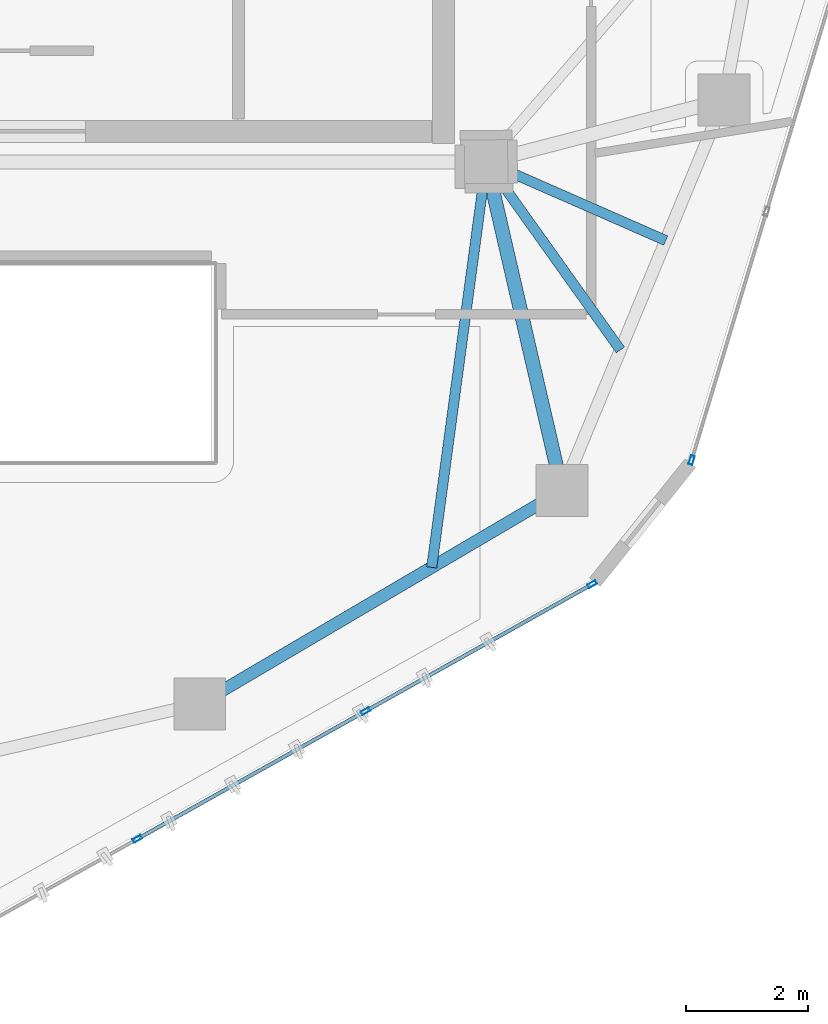
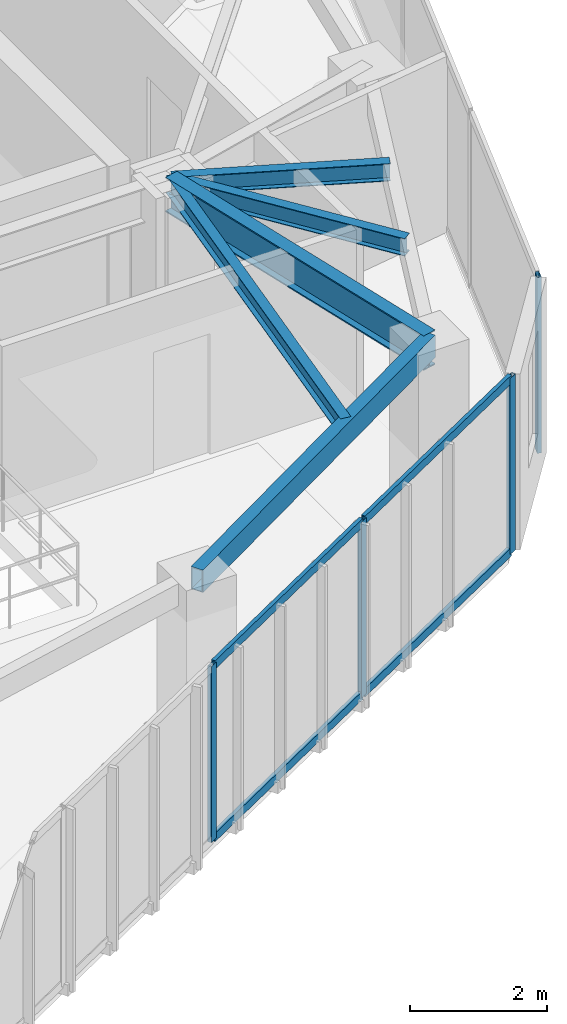
# One storey, part 6 of 20: 8 members, 5 beams, 2 elements without a shape of their own.
"""IFC4 building model written with IfcOpenShell, lengths in metres."""

from ifc_helpers import new_model, si_unit, direction, frame, origin, origin_2d, place, context, subcontext, project, spatial, hollow_rectangle, i_section, extrude, source, transform, mapped, material, layer, layer_set, material_profile, profile_set, type_object, type_shapes, element, aggregate, save


model = new_model("IFC4")

# Units and contexts
model_context = context("Model", 3, precision=1e-05, world=origin(), true_north=direction((0.0, 1.0)))
body_context = subcontext(model_context, "Body", "Model", "MODEL_VIEW")
ifc_project = project(units=[si_unit("LENGTHUNIT", "METRE"), si_unit("AREAUNIT", "SQUARE_METRE"), si_unit("VOLUMEUNIT", "CUBIC_METRE"), si_unit("PLANEANGLEUNIT", "RADIAN"), si_unit("MASSUNIT", "GRAM", prefix="KILO")], contexts=[model_context])

# Site, building, storey
site_placement = place(None, origin())
site = spatial("IfcSite", under=ifc_project, at=site_placement, CompositionType="ELEMENT")
building_placement = place(site_placement, origin())
building = spatial("IfcBuilding", under=site, at=building_placement, Name="Talar Marvaseh", CompositionType="ELEMENT")
storey_placement = place(building_placement, frame((0.0, 0.0, 257.800048828125)))
storey = spatial("IfcBuildingStorey", under=building, at=storey_placement, Name="L68", CompositionType="ELEMENT", Elevation=257.800048828125)

# Beams
ifc_material_1 = material(Name="Steel S355", Category="steel")
ifc_material_profile_1 = material_profile(ifc_material_1, hollow_rectangle(XDim=0.199951171875, YDim=0.39990234375, WallThickness=0.013916015625, at=origin_2d()), Name="RHS400x200x14")
ifc_profile_set_1 = profile_set([ifc_material_profile_1], Name="Steel S355")
beam_type_1 = type_object("IfcBeamType", Name="Zone 3 Perimeter Spandrel Beam RHS400x200x14", PredefinedType="SPANDREL", material=ifc_profile_set_1)
beam_1_placement = place(storey_placement, frame((34.5439453125, 20.111083984375, 2.93994140625), z_axis=(-0.861894136287, -0.507088254482, 0.0), x_axis=(0.507088254482, -0.861894136287, 0.0)))
element("IfcBeam", 1, at=beam_1_placement, inside=storey, type_object=beam_type_1, Name="L68 Zone 3 Perimeter Spandrel Beam RHS400x200x14", PredefinedType="SPANDREL", context=body_context, shape_type="SweptSolid", body=[
    extrude(hollow_rectangle(XDim=0.199951171875, YDim=0.39990234375, WallThickness=0.013916015625, at=origin_2d()), origin(), (0.0, 0.0, 1.0), 6.890625),
])
ifc_material_profile_2 = material_profile(ifc_material_1, i_section(OverallWidth=0.166015625, OverallDepth=0.31298828125, WebThickness=0.006591796875, FlangeThickness=0.01123046875, at=origin_2d()), Name="W310x45")
ifc_profile_set_2 = profile_set([ifc_material_profile_2], Name="Steel S355")
beam_type_2 = type_object("IfcBeamType", Name="Zone 3 Secondary Floor Joist W310x45", PredefinedType="JOIST", material=ifc_profile_set_2)
beam_2_placement = place(storey_placement, frame((36.241943359375, 24.208984375, 2.9833984375), z_axis=(-0.915706783714, 0.401847093135, 0.0), x_axis=(-0.401847093135, -0.915706783714, 0.0)))
element("IfcBeam", 2, at=beam_2_placement, inside=storey, type_object=beam_type_2, Name="L68 Zone 3 Secondary Floor Joist W310x45", PredefinedType="JOIST", context=body_context, shape_type="SweptSolid", body=[
    extrude(i_section(OverallWidth=0.166015625, OverallDepth=0.31298828125, WebThickness=0.006591796875, FlangeThickness=0.01123046875, at=origin_2d()), origin(), (0.0, 0.0, 1.0), 3.212646484375),
])
beam_3_placement = place(storey_placement, frame((35.4990234375, 22.416015625, 2.9833984375), z_axis=(-0.580561197682, 0.814216614757, 0.0), x_axis=(-0.814216614757, -0.580561197682, 0.0)))
element("IfcBeam", 3, at=beam_3_placement, inside=storey, type_object=beam_type_2, Name="L68 Zone 3 Secondary Floor Joist W310x45", PredefinedType="JOIST", context=body_context, shape_type="SweptSolid", body=[
    extrude(i_section(OverallWidth=0.166015625, OverallDepth=0.31298828125, WebThickness=0.006591796875, FlangeThickness=0.01123046875, at=origin_2d()), origin(), (0.0, 0.0, 1.0), 3.78759765625),
])
beam_4_placement = place(storey_placement, frame((32.406005859375, 18.853271484375, 2.9833984375), z_axis=(0.133308183872, 0.991074632968, 0.0), x_axis=(-0.991074632968, 0.133308183872, 0.0)))
element("IfcBeam", 4, at=beam_4_placement, inside=storey, type_object=beam_type_2, Name="L68 Zone 3 Secondary Floor Joist W310x45", PredefinedType="JOIST", context=body_context, shape_type="SweptSolid", body=[
    extrude(i_section(OverallWidth=0.166015625, OverallDepth=0.31298828125, WebThickness=0.006591796875, FlangeThickness=0.01123046875, at=origin_2d()), origin(), (0.0, 0.0, 1.0), 6.70654296875),
])
ifc_material_profile_3 = material_profile(ifc_material_1, i_section(OverallWidth=0.22998046875, OverallDepth=0.616943359375, WebThickness=0.01318359375, FlangeThickness=0.022216796875, at=origin_2d()), Name="W610x140")
ifc_profile_set_3 = profile_set([ifc_material_profile_3], Name="Steel S355")
beam_type_3 = type_object("IfcBeamType", Name="Zone 4 Radial Floor Girder W610x140", PredefinedType="BEAM", material=ifc_profile_set_3)
beam_5_placement = place(storey_placement, frame((34.5439453125, 20.111083984375, 2.83154296875), z_axis=(-0.22491108979, 0.974379290466, 0.0), x_axis=(-0.974379290466, -0.22491108979, 0.0)))
element("IfcBeam", 5, at=beam_5_placement, inside=storey, type_object=beam_type_3, Name="L68 Zone 4 Radial Floor Girder W610x140", PredefinedType="BEAM", context=body_context, shape_type="SweptSolid", body=[
    extrude(i_section(OverallWidth=0.22998046875, OverallDepth=0.616943359375, WebThickness=0.01318359375, FlangeThickness=0.022216796875, at=origin_2d()), origin(), (0.0, 0.0, 1.0), 5.530517578125),
])

# Curtain wall, member
ifc_material_2 = material(Name="Architectural Aluminium", Category="aluminium")
ifc_layer = layer(ifc_material_2, 0.179931640625)
ifc_layer_set = layer_set([ifc_layer], Name="Architectural Aluminium")
curtain_wall_type = type_object("IfcCurtainWallType", Name="Unitised High-Wind Sky Curtain Wall Z4", PredefinedType="NOTDEFINED", material=ifc_layer_set)
curtain_wall_1_placement = place(storey_placement, origin())
curtain_wall_1 = element("IfcCurtainWall", 6, at=curtain_wall_1_placement, inside=storey, type_object=curtain_wall_type, Name="L68 Unitised High-Wind Sky Curtain Wall Z4", PredefinedType="NOTDEFINED")
ifc_material_profile_4 = material_profile(ifc_material_2, hollow_rectangle(XDim=0.06494140625, YDim=0.14990234375, WallThickness=0.00390625, at=origin_2d()), Name="RHS150x65x4")
ifc_profile_set_4 = profile_set([ifc_material_profile_4], Name="Architectural Aluminium")
member_type_1 = type_object("IfcMemberType", Name="Unitised Curtain Wall Slim Mullion RHS150x65x4", PredefinedType="MULLION", material=ifc_profile_set_4)
shared_shape_1 = source(origin(), body_context, "Body", "SweptSolid", [
    extrude(hollow_rectangle(XDim=0.06494140625, YDim=0.14990234375, WallThickness=0.00390625, at=origin_2d()), origin(), (0.0, 0.0, 1.0), 3.139892578125),
])
type_shapes(member_type_1, [shared_shape_1])
member_1_placement = place(storey_placement, frame((36.66650390625, 20.611083984375, 0.0), z_axis=(0.0, 0.0, 1.0), x_axis=(0.957526215299, -0.288346227677, 0.0)))
member_1 = element("IfcMember", 7, at=member_1_placement, type_object=member_type_1, Name="CW-Z4 mullion 5", PredefinedType="MULLION", context=body_context, shape_type="MappedRepresentation", body=[
    mapped(shared_shape_1, transform((0.0, 0.0, 0.0), x_axis=(1.0, 0.0, 0.0), y_axis=(0.0, 1.0, 0.0), z_axis=(0.0, 0.0, 1.0), scale=1.0)),
])
aggregate(curtain_wall_1, [member_1])

# Curtain wall, members
curtain_wall_2_placement = place(storey_placement, origin())
curtain_wall_2 = element("IfcCurtainWall", 8, at=curtain_wall_2_placement, inside=storey, type_object=curtain_wall_type, Name="L68 Unitised High-Wind Sky Curtain Wall Z4", PredefinedType="NOTDEFINED")
member_2_placement = place(storey_placement, frame((35.0341796875, 18.57763671875, 0.0), z_axis=(0.0, 0.0, 1.0), x_axis=(0.488753794255, -0.872421760734, 0.0)))
member_2 = element("IfcMember", 9, at=member_2_placement, type_object=member_type_1, Name="CW-Z4 mullion 1", PredefinedType="MULLION", context=body_context, shape_type="MappedRepresentation", body=[
    mapped(shared_shape_1, transform((0.0, 0.0, 0.0), x_axis=(1.0, 0.0, 0.0), y_axis=(0.0, 1.0, 0.0), z_axis=(0.0, 0.0, 1.0), scale=1.0)),
])
member_3_placement = place(storey_placement, frame((31.3232421875, 16.49853515625, 0.0), z_axis=(0.0, 0.0, 1.0), x_axis=(0.488753794255, -0.872421760734, 0.0)))
member_3 = element("IfcMember", 10, at=member_3_placement, type_object=member_type_1, Name="CW-Z4 mullion 2", PredefinedType="MULLION", context=body_context, shape_type="MappedRepresentation", body=[
    mapped(shared_shape_1, transform((0.0, 0.0, 0.0), x_axis=(1.0, 0.0, 0.0), y_axis=(0.0, 1.0, 0.0), z_axis=(0.0, 0.0, 1.0), scale=1.0)),
])
member_4_placement = place(storey_placement, frame((27.583740234375, 14.403564453125, 0.0), z_axis=(0.0, 0.0, 1.0), x_axis=(0.488753794255, -0.872421760734, 0.0)))
member_4 = element("IfcMember", 11, at=member_4_placement, type_object=member_type_1, Name="CW-Z4 mullion 3", PredefinedType="MULLION", context=body_context, shape_type="MappedRepresentation", body=[
    mapped(shared_shape_1, transform((0.0, 0.0, 0.0), x_axis=(1.0, 0.0, 0.0), y_axis=(0.0, 1.0, 0.0), z_axis=(0.0, 0.0, 1.0), scale=1.0)),
])
ifc_material_profile_5 = material_profile(ifc_material_2, hollow_rectangle(XDim=0.06494140625, YDim=0.14990234375, WallThickness=0.00390625, at=origin_2d()), Name="RHS150x65x4")
ifc_profile_set_5 = profile_set([ifc_material_profile_5], Name="Architectural Aluminium")
member_type_2 = type_object("IfcMemberType", Name="Unitised Curtain Wall Slim Transom RHS150x65x4", PredefinedType="USERDEFINED", material=ifc_profile_set_5)
shared_shape_2 = source(origin(), body_context, "Body", "SweptSolid", [
    extrude(hollow_rectangle(XDim=0.06494140625, YDim=0.14990234375, WallThickness=0.00390625, at=origin_2d()), origin(), (0.0, 0.0, 1.0), 4.221435546875),
])
member_5_placement = place(storey_placement, frame((31.294921875, 16.482666015625, 0.032470703125), z_axis=(-0.872422175865, -0.488753053247, 0.0), x_axis=(0.488753053247, -0.872422175865, 0.0)))
member_5 = element("IfcMember", 12, at=member_5_placement, type_object=member_type_2, Name="CW-Z4 transom 2.1", ObjectType="TRANSOM", PredefinedType="USERDEFINED", context=body_context, shape_type="MappedRepresentation", body=[
    mapped(shared_shape_2, transform((0.0, 0.0, 0.0), x_axis=(1.0, 0.0, 0.0), y_axis=(0.0, 1.0, 0.0), z_axis=(0.0, 0.0, 1.0), scale=1.0)),
])
member_6_placement = place(storey_placement, frame((31.294921875, 16.482666015625, 3.107421875), z_axis=(-0.872422175865, -0.488753053247, 0.0), x_axis=(0.488753053247, -0.872422175865, 0.0)))
member_6 = element("IfcMember", 13, at=member_6_placement, type_object=member_type_2, Name="CW-Z4 transom 2.2", ObjectType="TRANSOM", PredefinedType="USERDEFINED", context=body_context, shape_type="MappedRepresentation", body=[
    mapped(shared_shape_2, transform((0.0, 0.0, 0.0), x_axis=(1.0, 0.0, 0.0), y_axis=(0.0, 1.0, 0.0), z_axis=(0.0, 0.0, 1.0), scale=1.0)),
])
shared_shape_3 = source(origin(), body_context, "Body", "SweptSolid", [
    extrude(hollow_rectangle(XDim=0.06494140625, YDim=0.14990234375, WallThickness=0.00390625, at=origin_2d()), origin(), (0.0, 0.0, 1.0), 4.188720703125),
])
type_shapes(member_type_2, [shared_shape_2, shared_shape_3])
member_7_placement = place(storey_placement, frame((35.005859375, 18.5615234375, 0.032470703125), z_axis=(-0.872433449838, -0.488732928708, 0.0), x_axis=(0.488732928708, -0.872433449838, 0.0)))
member_7 = element("IfcMember", 14, at=member_7_placement, type_object=member_type_2, Name="CW-Z4 transom 1.1", ObjectType="TRANSOM", PredefinedType="USERDEFINED", context=body_context, shape_type="MappedRepresentation", body=[
    mapped(shared_shape_3, transform((0.0, 0.0, 0.0), x_axis=(1.0, 0.0, 0.0), y_axis=(0.0, 1.0, 0.0), z_axis=(0.0, 0.0, 1.0), scale=1.0)),
])
member_8_placement = place(storey_placement, frame((35.005859375, 18.5615234375, 3.107421875), z_axis=(-0.872433449838, -0.488732928708, 0.0), x_axis=(0.488732928708, -0.872433449838, 0.0)))
member_8 = element("IfcMember", 15, at=member_8_placement, type_object=member_type_2, Name="CW-Z4 transom 1.2", ObjectType="TRANSOM", PredefinedType="USERDEFINED", context=body_context, shape_type="MappedRepresentation", body=[
    mapped(shared_shape_3, transform((0.0, 0.0, 0.0), x_axis=(1.0, 0.0, 0.0), y_axis=(0.0, 1.0, 0.0), z_axis=(0.0, 0.0, 1.0), scale=1.0)),
])
aggregate(curtain_wall_2, [member_2, member_3, member_4, member_7, member_8, member_5, member_6])

save(model, "model.ifc")
